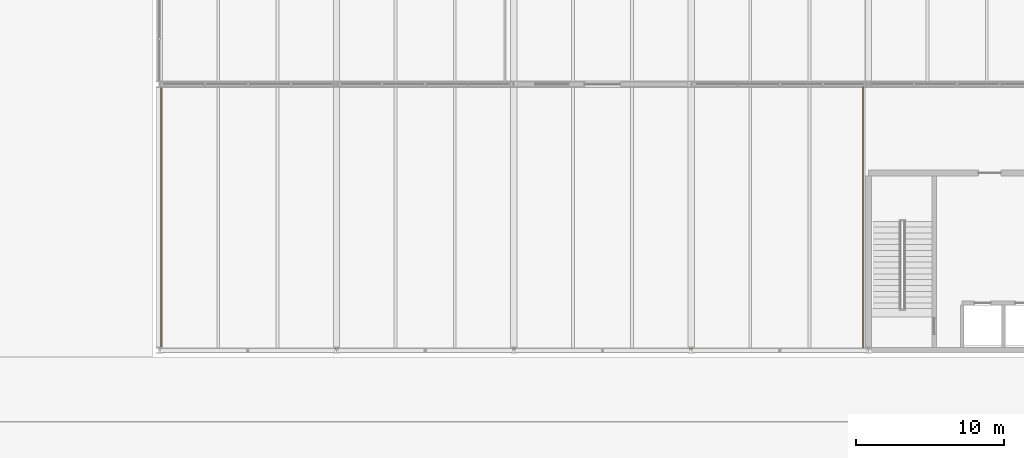
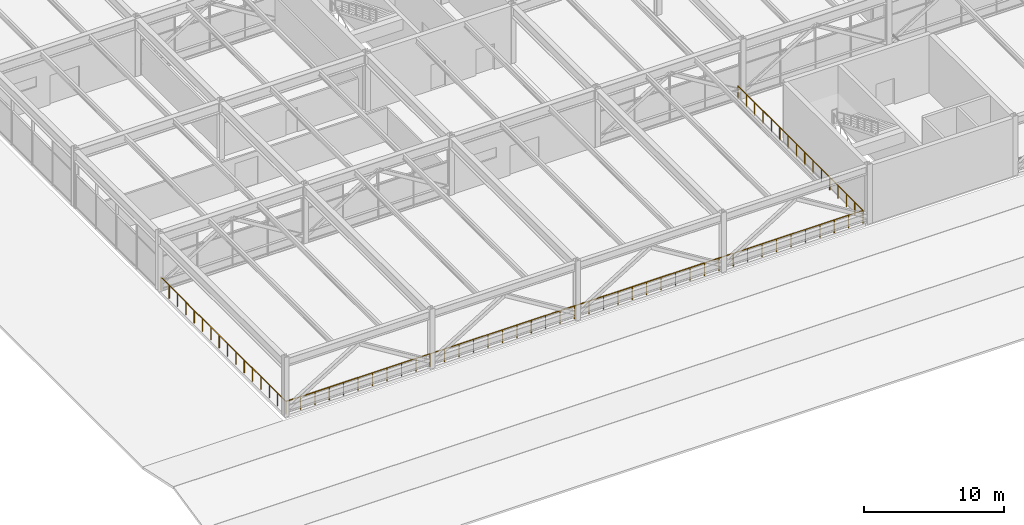
# One storey, part 38 of 42: 1 railing.
"""IFC4 building model written with IfcOpenShell, lengths in metres."""

import ifcopenshell
import ifcopenshell.guid

model = None  # the IFC model being written
_history = None  # IfcOwnerHistory: only IFC2X3 demands one
_inside = {}  # id of a spatial element -> (the spatial element, [elements in it])
_under = {}  # id of a project, library or spatial element -> (it, [spatial elements below it])
_declared = {}  # id of a project -> (the project, [libraries it declares])
_typed = {}  # id of a type object -> (the type object, [elements of that type])
_made_of = {}  # id of a material, layer set ... -> (it, [elements and type objects made of it])


def new_model(schema):
    """Start an empty IFC model of exactly this schema.

    Asked for "IFC4X3", IfcOpenShell would pick the latest addendum, in which some entities
    have other attributes; the version numbers below select the first issue.
    IFC2X3 requires an IfcOwnerHistory on every rooted entity: one is made here for all.
    """
    global model, _history
    if schema == "IFC4X3":
        model = ifcopenshell.file(schema_version=(4, 3, 0, 0))
    else:
        model = ifcopenshell.file(schema=schema)
    _inside.clear()
    _under.clear()
    _declared.clear()
    _typed.clear()
    _made_of.clear()
    _history = None
    if model.schema == "IFC2X3":
        org = make("IfcOrganization", Name="unknown")
        user = make(
            "IfcPersonAndOrganization",
            ThePerson=make("IfcPerson", FamilyName="unknown"),
            TheOrganization=org,
        )
        app = make(
            "IfcApplication",
            ApplicationDeveloper=org,
            Version="unknown",
            ApplicationFullName="unknown",
            ApplicationIdentifier="unknown",
        )
        _history = make(
            "IfcOwnerHistory",
            OwningUser=user,
            OwningApplication=app,
            ChangeAction="ADDED",
            CreationDate=0,
        )
    return model


def make(cls, **values):
    """One entity of the class cls with the attributes given. An attribute that is None is left unset."""
    return model.create_entity(
        cls, **{name: value for name, value in values.items() if value is not None}
    )


def rooted(cls, **values):
    """An entity with a GlobalId (a new one), such as an element, a storey or a relation."""
    return make(cls, GlobalId=ifcopenshell.guid.new(), OwnerHistory=_history, **values)


def si_unit(unit_type, name, prefix=None):
    """IfcSIUnit, for example si_unit("LENGTHUNIT", "METRE", prefix="MILLI")."""
    return make("IfcSIUnit", UnitType=unit_type, Prefix=prefix, Name=name)


def assignment(units):
    """IfcUnitAssignment: the units of a project."""
    return None if units is None else make("IfcUnitAssignment", Units=units)


def point(xyz):
    """IfcCartesianPoint."""
    return None if xyz is None else make("IfcCartesianPoint", Coordinates=xyz)


def direction(xyz):
    """IfcDirection."""
    return None if xyz is None else make("IfcDirection", DirectionRatios=xyz)


def frame(location, z_axis=None, x_axis=None):
    """IfcAxis2Placement3D, a coordinate frame: its origin and axes. An axis left out is left unset."""
    return make(
        "IfcAxis2Placement3D",
        Location=point(location),
        Axis=direction(z_axis),
        RefDirection=direction(x_axis),
    )


def frame_2d(location, x_axis=None):
    """IfcAxis2Placement2D, a coordinate frame in the plane: its origin and x axis."""
    return make(
        "IfcAxis2Placement2D", Location=point(location), RefDirection=direction(x_axis)
    )


def origin():
    """The frame at (0, 0, 0) with its axes left unset."""
    return frame((0.0, 0.0, 0.0))


def origin_2d():
    """The frame at (0, 0) in the plane with its x axis left unset."""
    return frame_2d((0.0, 0.0))


def place(relative_to, where):
    """IfcLocalPlacement: puts the frame where relative to a parent placement (None: the world)."""
    return make(
        "IfcLocalPlacement", PlacementRelTo=relative_to, RelativePlacement=where
    )


def context(
    kind, dimensions, precision=None, world=None, true_north=None, identifier=None
):
    """IfcGeometricRepresentationContext, for example the 3D "Model" context."""
    return make(
        "IfcGeometricRepresentationContext",
        ContextIdentifier=identifier,
        ContextType=kind,
        CoordinateSpaceDimension=dimensions,
        Precision=precision,
        WorldCoordinateSystem=world,
        TrueNorth=true_north,
    )


def subcontext(parent, identifier, kind, view, scale=None):
    """IfcGeometricRepresentationSubContext, for example "Body" below "Model"."""
    return make(
        "IfcGeometricRepresentationSubContext",
        ContextIdentifier=identifier,
        ContextType=kind,
        ParentContext=parent,
        TargetScale=scale,
        TargetView=view,
    )


def project(units=None, contexts=None):
    """IfcProject with its units and contexts."""
    return rooted(
        "IfcProject",
        Name="project",
        RepresentationContexts=contexts,
        UnitsInContext=assignment(units),
    )


def spatial(cls, under=None, at=None, **own):
    """A site, building, storey or space (cls), placed at a placement, below another one or the project."""
    s = rooted(cls, ObjectPlacement=at, **own)
    if under is not None:
        _under.setdefault(under.id(), (under, []))[1].append(s)
    return s


def profile(cls, at=None, kind="AREA", **sizes):
    """A parametric profile (cls). Its sizes go by their IFC names, for example OverallWidth=200.0."""
    return make(cls, ProfileType=kind, Position=at, **sizes)


def circle(**sizes):
    """IfcCircleProfileDef."""
    return profile("IfcCircleProfileDef", **sizes)


def extrude(swept, where, along, depth):
    """IfcExtrudedAreaSolid: the profile swept, set in the frame where, extruded along a direction by depth."""
    return make(
        "IfcExtrudedAreaSolid",
        SweptArea=swept,
        Position=where,
        ExtrudedDirection=direction(along),
        Depth=depth,
    )


def shape(context_of_items, identifier, shape_type, items):
    """IfcShapeRepresentation: the items that make up one representation, for example the "Body"."""
    return make(
        "IfcShapeRepresentation",
        ContextOfItems=context_of_items,
        RepresentationIdentifier=identifier,
        RepresentationType=shape_type,
        Items=items,
    )


def material(Name=None, Category=None):
    """IfcMaterial."""
    return make("IfcMaterial", Name=Name, Category=Category)


def layer(
    of_material, thickness, ventilated=None, Name=None, Category=None, Priority=None
):
    """IfcMaterialLayer: one layer of a wall or slab, of a material (None: an air gap)."""
    return make(
        "IfcMaterialLayer",
        Material=of_material,
        LayerThickness=thickness,
        IsVentilated=ventilated,
        Name=Name,
        Category=Category,
        Priority=Priority,
    )


def layer_set(layers, Name=None):
    """IfcMaterialLayerSet."""
    return make("IfcMaterialLayerSet", MaterialLayers=layers, LayerSetName=Name)


def made_of(thing, what):
    """Note that an element or type object is made of a material, layer set ...; save() writes the relation."""
    if what is not None:
        _made_of.setdefault(what.id(), (what, []))[1].append(thing)
    return thing


def type_object(cls, material=None, **own):
    """A type object (cls), such as IfcWallType, which elements share."""
    return made_of(rooted(cls, **own), material)


def element(
    cls,
    number,
    at=None,
    inside=None,
    cuts=None,
    type_object=None,
    material=None,
    context=None,
    identifier="Body",
    shape_type=None,
    held_by="IfcProductDefinitionShape",
    body=None,
    shapes=None,
    **own,
):
    """One element of the class cls, such as IfcWall. Its Tag is "e" and its number.

    at: its placement. inside: the storey or other place that contains it. cuts: it is an
    opening in that element (IfcRelVoidsElement). A single representation is given by context,
    identifier, shape_type and body (its items); several are given by shapes. held_by: the class
    of the entity that holds the representations. save() writes the other relations.
    """
    e = rooted(cls, Tag="e%d" % number, ObjectPlacement=at, **own)
    if body is not None:
        shapes = [shape(context, identifier, shape_type, body)]
    if shapes is not None:
        e.Representation = make(held_by, Representations=shapes)
    if inside is not None:
        _inside.setdefault(inside.id(), (inside, []))[1].append(e)
    if cuts is not None:
        rooted(
            "IfcRelVoidsElement", RelatingBuildingElement=cuts, RelatedOpeningElement=e
        )
    if type_object is not None:
        _typed.setdefault(type_object.id(), (type_object, []))[1].append(e)
    return made_of(e, material)


def aggregate(whole, parts):
    """IfcRelAggregates: a whole, such as a stair, and the parts it consists of."""
    return rooted("IfcRelAggregates", RelatingObject=whole, RelatedObjects=parts)


def save(model, path):
    """Write the relations noted so far, then the file.

    IfcRelAggregates (storeys below a building ...), IfcRelContainedInSpatialStructure (elements
    in a storey), IfcRelDefinesByType, IfcRelAssociatesMaterial and IfcRelDeclares: one each for
    every whole, place, type object, material and project.
    """
    for whole, parts in _under.values():
        aggregate(whole, parts)
    for where, things in _inside.values():
        rooted(
            "IfcRelContainedInSpatialStructure",
            RelatedElements=things,
            RelatingStructure=where,
        )
    for kind, things in _typed.values():
        rooted("IfcRelDefinesByType", RelatedObjects=things, RelatingType=kind)
    for what, things in _made_of.values():
        rooted("IfcRelAssociatesMaterial", RelatedObjects=things, RelatingMaterial=what)
    for by, libraries in _declared.values():
        rooted("IfcRelDeclares", RelatingContext=by, RelatedDefinitions=libraries)
    model.write(path)


model = new_model("IFC4")

# Units and contexts
model_context = context("Model", 3, precision=1e-05, world=origin(), true_north=direction((0.0, 1.0)))
body_context = subcontext(model_context, "Body", "Model", "MODEL_VIEW")
ifc_project = project(units=[si_unit("LENGTHUNIT", "METRE"), si_unit("AREAUNIT", "SQUARE_METRE"), si_unit("VOLUMEUNIT", "CUBIC_METRE"), si_unit("PLANEANGLEUNIT", "RADIAN"), si_unit("MASSUNIT", "GRAM", prefix="KILO")], contexts=[model_context])

# Site, building, storey
site_placement = place(None, origin())
site = spatial("IfcSite", under=ifc_project, at=site_placement, CompositionType="ELEMENT")
building_placement = place(site_placement, origin())
building = spatial("IfcBuilding", under=site, at=building_placement, Name="Girod Span Mobility Hub", CompositionType="ELEMENT")
storey_placement = place(building_placement, frame((0.0, 0.0, 32.39990234375)))
storey = spatial("IfcBuildingStorey", under=building, at=storey_placement, Name="L08", CompositionType="ELEMENT", Elevation=32.39990234375)

# Railing
ifc_material = material(Name="Anodised Aluminium Alloy 6063-T6", Category="aluminium")
ifc_layer = layer(ifc_material, 0.070068359375)
ifc_layer_set = layer_set([ifc_layer], Name="Anodised Aluminium Alloy 6063-T6")
railing_type = type_object("IfcRailingType", Name="RL-BAL-1140", PredefinedType="BALUSTRADE", material=ifc_layer_set)
railing_placement = place(storey_placement, frame((24.1201171875, 44.9599609375, 0.0)))
element("IfcRailing", 1, at=railing_placement, inside=storey, type_object=railing_type, Name="South West Rooftop Sports Court Perimeter Balustrade", PredefinedType="BALUSTRADE", context=body_context, shape_type="SweptSolid", body=[
    extrude(circle(Radius=0.02392578125, at=origin_2d()), frame((0.0, 0.0, 1.11572265625), z_axis=(0.0, -1.0, 0.0), x_axis=(1.0, 0.0, 0.0)), (0.0, 0.0, 1.0), 17.83984375),
    extrude(circle(Radius=0.02392578125, at=origin_2d()), frame((0.0, -17.83984375, 1.11572265625), z_axis=(1.0, 0.0, 0.0), x_axis=(0.0, 1.0, 0.0)), (0.0, 0.0, 1.0), 47.509765625),
    extrude(circle(Radius=0.02392578125, at=origin_2d()), frame((47.509765625, -17.83984375, 1.11572265625), z_axis=(0.0, 1.0, 0.0), x_axis=(-1.0, 0.0, 0.0)), (0.0, 0.0, 1.0), 17.83984375),
    extrude(circle(Radius=0.02099609375, at=origin_2d()), origin(), (0.0, 0.0, 1.0), 1.091796875),
    extrude(circle(Radius=0.02099609375, at=origin_2d()), frame((0.0, -1.189208984375, 0.0)), (0.0, 0.0, 1.0), 1.091796875),
    extrude(circle(Radius=0.02099609375, at=origin_2d()), frame((0.0, -2.378662109375, 0.0)), (0.0, 0.0, 1.0), 1.091796875),
    extrude(circle(Radius=0.02099609375, at=origin_2d()), frame((0.0, -3.56787109375, 0.0)), (0.0, 0.0, 1.0), 1.091796875),
    extrude(circle(Radius=0.02099609375, at=origin_2d()), frame((0.0, -4.75732421875, 0.0)), (0.0, 0.0, 1.0), 1.091796875),
    extrude(circle(Radius=0.02099609375, at=origin_2d()), frame((0.0, -5.946533203125, 0.0)), (0.0, 0.0, 1.0), 1.091796875),
    extrude(circle(Radius=0.02099609375, at=origin_2d()), frame((0.0, -7.135986328125, 0.0)), (0.0, 0.0, 1.0), 1.091796875),
    extrude(circle(Radius=0.02099609375, at=origin_2d()), frame((0.0, -8.3251953125, 0.0)), (0.0, 0.0, 1.0), 1.091796875),
    extrude(circle(Radius=0.02099609375, at=origin_2d()), frame((0.0, -9.5146484375, 0.0)), (0.0, 0.0, 1.0), 1.091796875),
    extrude(circle(Radius=0.02099609375, at=origin_2d()), frame((0.0, -10.703857421875, 0.0)), (0.0, 0.0, 1.0), 1.091796875),
    extrude(circle(Radius=0.02099609375, at=origin_2d()), frame((0.0, -11.893310546875, 0.0)), (0.0, 0.0, 1.0), 1.091796875),
    extrude(circle(Radius=0.02099609375, at=origin_2d()), frame((0.0, -13.08251953125, 0.0)), (0.0, 0.0, 1.0), 1.091796875),
    extrude(circle(Radius=0.02099609375, at=origin_2d()), frame((0.0, -14.27197265625, 0.0)), (0.0, 0.0, 1.0), 1.091796875),
    extrude(circle(Radius=0.02099609375, at=origin_2d()), frame((0.0, -15.461181640625, 0.0)), (0.0, 0.0, 1.0), 1.091796875),
    extrude(circle(Radius=0.02099609375, at=origin_2d()), frame((0.0, -16.650634765625, 0.0)), (0.0, 0.0, 1.0), 1.091796875),
    extrude(circle(Radius=0.02099609375, at=origin_2d()), frame((0.0, -17.83984375, 0.0)), (0.0, 0.0, 1.0), 1.091796875),
    extrude(circle(Radius=0.02099609375, at=origin_2d()), frame((1.187744140625, -17.83984375, 0.0)), (0.0, 0.0, 1.0), 1.091796875),
    extrude(circle(Radius=0.02099609375, at=origin_2d()), frame((2.37548828125, -17.83984375, 0.0)), (0.0, 0.0, 1.0), 1.091796875),
    extrude(circle(Radius=0.02099609375, at=origin_2d()), frame((3.563232421875, -17.83984375, 0.0)), (0.0, 0.0, 1.0), 1.091796875),
    extrude(circle(Radius=0.02099609375, at=origin_2d()), frame((4.7509765625, -17.83984375, 0.0)), (0.0, 0.0, 1.0), 1.091796875),
    extrude(circle(Radius=0.02099609375, at=origin_2d()), frame((5.938720703125, -17.83984375, 0.0)), (0.0, 0.0, 1.0), 1.091796875),
    extrude(circle(Radius=0.02099609375, at=origin_2d()), frame((7.12646484375, -17.83984375, 0.0)), (0.0, 0.0, 1.0), 1.091796875),
    extrude(circle(Radius=0.02099609375, at=origin_2d()), frame((8.314208984375, -17.83984375, 0.0)), (0.0, 0.0, 1.0), 1.091796875),
    extrude(circle(Radius=0.02099609375, at=origin_2d()), frame((9.501953125, -17.83984375, 0.0)), (0.0, 0.0, 1.0), 1.091796875),
    extrude(circle(Radius=0.02099609375, at=origin_2d()), frame((10.689697265625, -17.83984375, 0.0)), (0.0, 0.0, 1.0), 1.091796875),
    extrude(circle(Radius=0.02099609375, at=origin_2d()), frame((11.87744140625, -17.83984375, 0.0)), (0.0, 0.0, 1.0), 1.091796875),
    extrude(circle(Radius=0.02099609375, at=origin_2d()), frame((13.065185546875, -17.83984375, 0.0)), (0.0, 0.0, 1.0), 1.091796875),
    extrude(circle(Radius=0.02099609375, at=origin_2d()), frame((14.2529296875, -17.83984375, 0.0)), (0.0, 0.0, 1.0), 1.091796875),
    extrude(circle(Radius=0.02099609375, at=origin_2d()), frame((15.440673828125, -17.83984375, 0.0)), (0.0, 0.0, 1.0), 1.091796875),
    extrude(circle(Radius=0.02099609375, at=origin_2d()), frame((16.62841796875, -17.83984375, 0.0)), (0.0, 0.0, 1.0), 1.091796875),
    extrude(circle(Radius=0.02099609375, at=origin_2d()), frame((17.816162109375, -17.83984375, 0.0)), (0.0, 0.0, 1.0), 1.091796875),
    extrude(circle(Radius=0.02099609375, at=origin_2d()), frame((19.00390625, -17.83984375, 0.0)), (0.0, 0.0, 1.0), 1.091796875),
    extrude(circle(Radius=0.02099609375, at=origin_2d()), frame((20.191650390625, -17.83984375, 0.0)), (0.0, 0.0, 1.0), 1.091796875),
    extrude(circle(Radius=0.02099609375, at=origin_2d()), frame((21.37939453125, -17.83984375, 0.0)), (0.0, 0.0, 1.0), 1.091796875),
    extrude(circle(Radius=0.02099609375, at=origin_2d()), frame((22.567138671875, -17.83984375, 0.0)), (0.0, 0.0, 1.0), 1.091796875),
    extrude(circle(Radius=0.02099609375, at=origin_2d()), frame((23.7548828125, -17.83984375, 0.0)), (0.0, 0.0, 1.0), 1.091796875),
    extrude(circle(Radius=0.02099609375, at=origin_2d()), frame((24.942626953125, -17.83984375, 0.0)), (0.0, 0.0, 1.0), 1.091796875),
    extrude(circle(Radius=0.02099609375, at=origin_2d()), frame((26.13037109375, -17.83984375, 0.0)), (0.0, 0.0, 1.0), 1.091796875),
    extrude(circle(Radius=0.02099609375, at=origin_2d()), frame((27.318115234375, -17.83984375, 0.0)), (0.0, 0.0, 1.0), 1.091796875),
    extrude(circle(Radius=0.02099609375, at=origin_2d()), frame((28.505859375, -17.83984375, 0.0)), (0.0, 0.0, 1.0), 1.091796875),
    extrude(circle(Radius=0.02099609375, at=origin_2d()), frame((29.693603515625, -17.83984375, 0.0)), (0.0, 0.0, 1.0), 1.091796875),
    extrude(circle(Radius=0.02099609375, at=origin_2d()), frame((30.88134765625, -17.83984375, 0.0)), (0.0, 0.0, 1.0), 1.091796875),
    extrude(circle(Radius=0.02099609375, at=origin_2d()), frame((32.069091796875, -17.83984375, 0.0)), (0.0, 0.0, 1.0), 1.091796875),
    extrude(circle(Radius=0.02099609375, at=origin_2d()), frame((33.2568359375, -17.83984375, 0.0)), (0.0, 0.0, 1.0), 1.091796875),
    extrude(circle(Radius=0.02099609375, at=origin_2d()), frame((34.444580078125, -17.83984375, 0.0)), (0.0, 0.0, 1.0), 1.091796875),
    extrude(circle(Radius=0.02099609375, at=origin_2d()), frame((35.63232421875, -17.83984375, 0.0)), (0.0, 0.0, 1.0), 1.091796875),
    extrude(circle(Radius=0.02099609375, at=origin_2d()), frame((36.820068359375, -17.83984375, 0.0)), (0.0, 0.0, 1.0), 1.091796875),
    extrude(circle(Radius=0.02099609375, at=origin_2d()), frame((38.0078125, -17.83984375, 0.0)), (0.0, 0.0, 1.0), 1.091796875),
    extrude(circle(Radius=0.02099609375, at=origin_2d()), frame((39.195556640625, -17.83984375, 0.0)), (0.0, 0.0, 1.0), 1.091796875),
    extrude(circle(Radius=0.02099609375, at=origin_2d()), frame((40.38330078125, -17.83984375, 0.0)), (0.0, 0.0, 1.0), 1.091796875),
    extrude(circle(Radius=0.02099609375, at=origin_2d()), frame((41.571044921875, -17.83984375, 0.0)), (0.0, 0.0, 1.0), 1.091796875),
    extrude(circle(Radius=0.02099609375, at=origin_2d()), frame((42.7587890625, -17.83984375, 0.0)), (0.0, 0.0, 1.0), 1.091796875),
    extrude(circle(Radius=0.02099609375, at=origin_2d()), frame((43.946533203125, -17.83984375, 0.0)), (0.0, 0.0, 1.0), 1.091796875),
    extrude(circle(Radius=0.02099609375, at=origin_2d()), frame((45.13427734375, -17.83984375, 0.0)), (0.0, 0.0, 1.0), 1.091796875),
    extrude(circle(Radius=0.02099609375, at=origin_2d()), frame((46.322021484375, -17.83984375, 0.0)), (0.0, 0.0, 1.0), 1.091796875),
    extrude(circle(Radius=0.02099609375, at=origin_2d()), frame((47.509765625, -17.83984375, 0.0)), (0.0, 0.0, 1.0), 1.091796875),
    extrude(circle(Radius=0.02099609375, at=origin_2d()), frame((47.509765625, -16.650634765625, 0.0)), (0.0, 0.0, 1.0), 1.091796875),
    extrude(circle(Radius=0.02099609375, at=origin_2d()), frame((47.509765625, -15.461181640625, 0.0)), (0.0, 0.0, 1.0), 1.091796875),
    extrude(circle(Radius=0.02099609375, at=origin_2d()), frame((47.509765625, -14.27197265625, 0.0)), (0.0, 0.0, 1.0), 1.091796875),
    extrude(circle(Radius=0.02099609375, at=origin_2d()), frame((47.509765625, -13.08251953125, 0.0)), (0.0, 0.0, 1.0), 1.091796875),
    extrude(circle(Radius=0.02099609375, at=origin_2d()), frame((47.509765625, -11.893310546875, 0.0)), (0.0, 0.0, 1.0), 1.091796875),
    extrude(circle(Radius=0.02099609375, at=origin_2d()), frame((47.509765625, -10.703857421875, 0.0)), (0.0, 0.0, 1.0), 1.091796875),
    extrude(circle(Radius=0.02099609375, at=origin_2d()), frame((47.509765625, -9.5146484375, 0.0)), (0.0, 0.0, 1.0), 1.091796875),
    extrude(circle(Radius=0.02099609375, at=origin_2d()), frame((47.509765625, -8.3251953125, 0.0)), (0.0, 0.0, 1.0), 1.091796875),
    extrude(circle(Radius=0.02099609375, at=origin_2d()), frame((47.509765625, -7.135986328125, 0.0)), (0.0, 0.0, 1.0), 1.091796875),
    extrude(circle(Radius=0.02099609375, at=origin_2d()), frame((47.509765625, -5.946533203125, 0.0)), (0.0, 0.0, 1.0), 1.091796875),
    extrude(circle(Radius=0.02099609375, at=origin_2d()), frame((47.509765625, -4.75732421875, 0.0)), (0.0, 0.0, 1.0), 1.091796875),
    extrude(circle(Radius=0.02099609375, at=origin_2d()), frame((47.509765625, -3.56787109375, 0.0)), (0.0, 0.0, 1.0), 1.091796875),
    extrude(circle(Radius=0.02099609375, at=origin_2d()), frame((47.509765625, -2.378662109375, 0.0)), (0.0, 0.0, 1.0), 1.091796875),
    extrude(circle(Radius=0.02099609375, at=origin_2d()), frame((47.509765625, -1.189208984375, 0.0)), (0.0, 0.0, 1.0), 1.091796875),
    extrude(circle(Radius=0.02099609375, at=origin_2d()), frame((47.509765625, 0.0, 0.0)), (0.0, 0.0, 1.0), 1.091796875),
])

save(model, "model.ifc")
